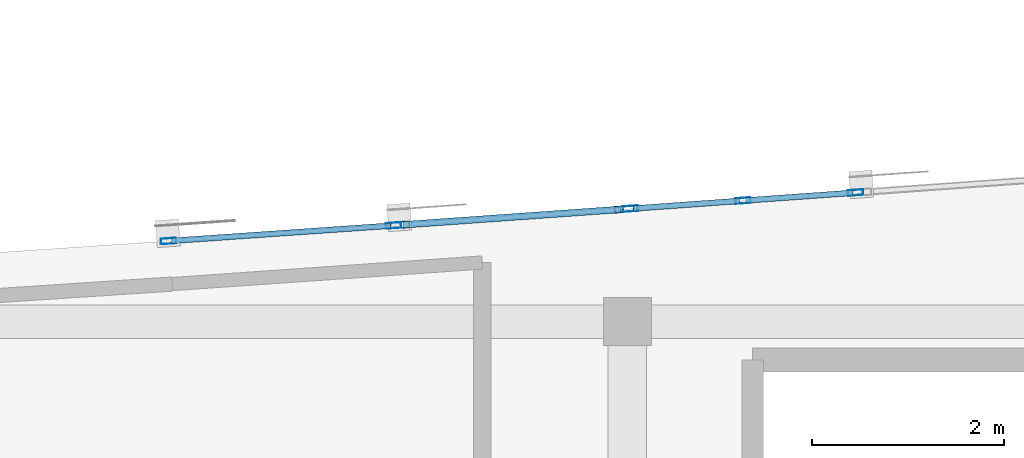
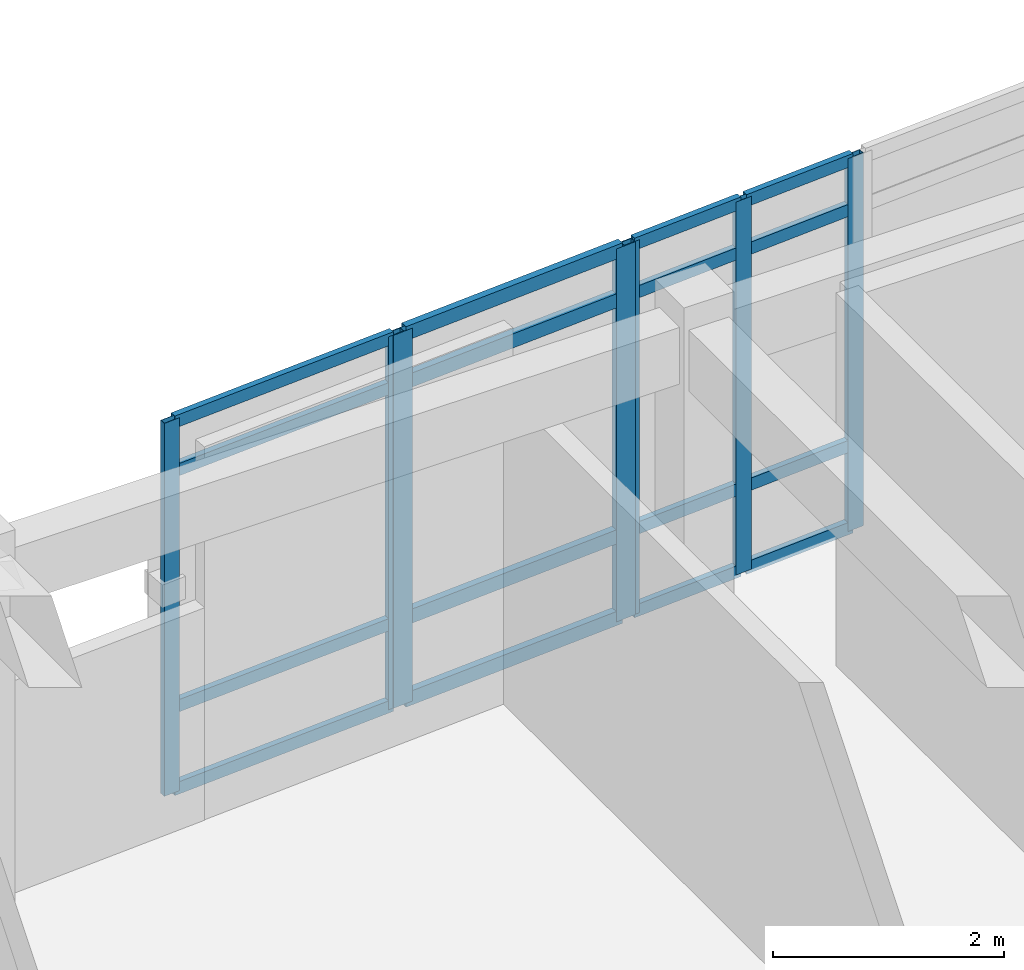
# One storey, part 4 of 24: 23 members, 3 elements without a shape of their own.
"""IFC4 building model written with IfcOpenShell, lengths in metres."""

from ifc_helpers import new_model, si_unit, direction, frame, origin, origin_2d, place, context, subcontext, project, spatial, hollow_rectangle, extrude, material, layer, layer_set, material_profile, profile_set, type_object, element, aggregate, save


model = new_model("IFC4")

# Units and contexts
model_context = context("Model", 3, precision=1e-05, world=origin(), true_north=direction((0.0, 1.0)))
body_context = subcontext(model_context, "Body", "Model", "MODEL_VIEW")
ifc_project = project(units=[si_unit("LENGTHUNIT", "METRE"), si_unit("AREAUNIT", "SQUARE_METRE"), si_unit("VOLUMEUNIT", "CUBIC_METRE"), si_unit("PLANEANGLEUNIT", "RADIAN"), si_unit("MASSUNIT", "GRAM", prefix="KILO")], contexts=[model_context])

# Site, building, storey
site_placement = place(None, origin())
site = spatial("IfcSite", under=ifc_project, at=site_placement, CompositionType="ELEMENT")
building_placement = place(site_placement, origin())
building = spatial("IfcBuilding", under=site, at=building_placement, Name="Carrowvane Square Congress Hotel", CompositionType="ELEMENT")
storey_placement = place(building_placement, frame((0.0, 0.0, 44.39990234375)))
storey = spatial("IfcBuildingStorey", under=building, at=storey_placement, Name="L11", CompositionType="ELEMENT", Elevation=44.39990234375)

# Curtain wall, members
ifc_material_1 = material(Name="Anodised aluminium", Category="aluminium")
ifc_layer_1 = layer(ifc_material_1, 0.18603515625)
ifc_layer_set_1 = layer_set([ifc_layer_1], Name="Anodised aluminium")
curtain_wall_type_1 = type_object("IfcCurtainWallType", Name="CW-SYS-3", PredefinedType="NOTDEFINED", material=ifc_layer_set_1)
curtain_wall_1_placement = place(storey_placement, origin())
curtain_wall_1 = element("IfcCurtainWall", 1, at=curtain_wall_1_placement, inside=storey, type_object=curtain_wall_type_1, Name="L11 unitised curtain wall 586", PredefinedType="NOTDEFINED")
ifc_material_2 = material(Name="Anodised aluminium", Category="aluminium")
ifc_material_profile_1 = material_profile(ifc_material_2, hollow_rectangle(XDim=0.06005859375, YDim=0.159912109375, WallThickness=0.00390625, at=origin_2d()), Name="CW-ML 60x160x4")
ifc_profile_set_1 = profile_set([ifc_material_profile_1], Name="Anodised aluminium")
member_type_1 = type_object("IfcMemberType", Name="CW-MUL-1", PredefinedType="MULLION", material=ifc_profile_set_1)
member_1_placement = place(storey_placement, frame((50.030029296875, 114.237548828125, 0.0), z_axis=(0.0, 0.0, 1.0), x_axis=(-0.068986120725, 0.997617619706, 0.0)))
member_1 = element("IfcMember", 2, at=member_1_placement, type_object=member_type_1, Name="CW-3 mullion 1", PredefinedType="MULLION", context=body_context, shape_type="SweptSolid", body=[
    extrude(hollow_rectangle(XDim=0.06005859375, YDim=0.159912109375, WallThickness=0.00390625, at=origin_2d()), origin(), (0.0, 0.0, 1.0), 3.9501953125),
])
member_2_placement = place(storey_placement, frame((52.3701171875, 114.3994140625, 0.0), z_axis=(0.0, 0.0, 1.0), x_axis=(-0.068986120725, 0.997617619706, 0.0)))
member_2 = element("IfcMember", 3, at=member_2_placement, type_object=member_type_1, Name="CW-3 mullion 2", PredefinedType="MULLION", context=body_context, shape_type="SweptSolid", body=[
    extrude(hollow_rectangle(XDim=0.06005859375, YDim=0.159912109375, WallThickness=0.00390625, at=origin_2d()), origin(), (0.0, 0.0, 1.0), 3.9501953125),
])

ifc_material_3 = material(Name="Anodised aluminium", Category="aluminium")
ifc_layer_2 = layer(ifc_material_3, 0.2099609375)
ifc_layer_set_2 = layer_set([ifc_layer_2], Name="Anodised aluminium")
curtain_wall_type_2 = type_object("IfcCurtainWallType", Name="CW-SYS-5", PredefinedType="NOTDEFINED", material=ifc_layer_set_2)
curtain_wall_2_placement = place(storey_placement, origin())
curtain_wall_2 = element("IfcCurtainWall", 4, at=curtain_wall_2_placement, inside=storey, type_object=curtain_wall_type_2, Name="L11 unitised curtain wall 588", PredefinedType="NOTDEFINED")
member_3_placement = place(storey_placement, frame((54.829833984375, 114.573486328125, 0.0), z_axis=(0.0, 0.0, 1.0), x_axis=(-0.071418356042, 0.997446448898, 0.0)))
member_3 = element("IfcMember", 5, at=member_3_placement, type_object=member_type_1, Name="CW-5 mullion 1", PredefinedType="MULLION", context=body_context, shape_type="SweptSolid", body=[
    extrude(hollow_rectangle(XDim=0.06005859375, YDim=0.159912109375, WallThickness=0.00390625, at=origin_2d()), origin(), (0.0, 0.0, 1.0), 3.9501953125),
])
member_4_placement = place(storey_placement, frame((56.0, 114.6572265625, 0.0), z_axis=(0.0, 0.0, 1.0), x_axis=(-0.071418356042, 0.997446448898, 0.0)))
member_4 = element("IfcMember", 6, at=member_4_placement, type_object=member_type_1, Name="CW-5 mullion 2", PredefinedType="MULLION", context=body_context, shape_type="SweptSolid", body=[
    extrude(hollow_rectangle(XDim=0.06005859375, YDim=0.159912109375, WallThickness=0.00390625, at=origin_2d()), origin(), (0.0, 0.0, 1.0), 3.9501953125),
])
member_5_placement = place(storey_placement, frame((57.169921875, 114.740966796875, 0.0), z_axis=(0.0, 0.0, 1.0), x_axis=(-0.071418356042, 0.997446448898, 0.0)))
member_5 = element("IfcMember", 7, at=member_5_placement, type_object=member_type_1, Name="CW-5 mullion 3", PredefinedType="MULLION", context=body_context, shape_type="SweptSolid", body=[
    extrude(hollow_rectangle(XDim=0.06005859375, YDim=0.159912109375, WallThickness=0.00390625, at=origin_2d()), origin(), (0.0, 0.0, 1.0), 3.9501953125),
])

ifc_material_4 = material(Name="Anodised aluminium", Category="aluminium")
ifc_layer_3 = layer(ifc_material_4, 0.197998046875)
ifc_layer_set_3 = layer_set([ifc_layer_3], Name="Anodised aluminium")
curtain_wall_type_3 = type_object("IfcCurtainWallType", Name="CW-SYS-4", PredefinedType="NOTDEFINED", material=ifc_layer_set_3)
curtain_wall_3_placement = place(storey_placement, origin())
curtain_wall_3 = element("IfcCurtainWall", 8, at=curtain_wall_3_placement, inside=storey, type_object=curtain_wall_type_3, Name="L11 unitised curtain wall 587", PredefinedType="NOTDEFINED")
ifc_material_5 = material(Name="Anodised aluminium", Category="aluminium")
ifc_material_profile_2 = material_profile(ifc_material_5, hollow_rectangle(XDim=0.070068359375, YDim=0.199951171875, WallThickness=0.0048828125, at=origin_2d()), Name="CW-ML 70x200x5")
ifc_profile_set_2 = profile_set([ifc_material_profile_2], Name="Anodised aluminium")
member_type_2 = type_object("IfcMemberType", Name="CW-MUL-2", PredefinedType="MULLION", material=ifc_profile_set_2)
member_6_placement = place(storey_placement, frame((52.434814453125, 114.40380859375, 0.0), z_axis=(0.0, 0.0, 1.0), x_axis=(-0.070585996942, 0.997505697746, 0.0)))
member_6 = element("IfcMember", 9, at=member_6_placement, type_object=member_type_2, Name="CW-4 mullion 1", PredefinedType="MULLION", context=body_context, shape_type="SweptSolid", body=[
    extrude(hollow_rectangle(XDim=0.070068359375, YDim=0.199951171875, WallThickness=0.0048828125, at=origin_2d()), origin(), (0.0, 0.0, 1.0), 3.9501953125),
])
member_7_placement = place(storey_placement, frame((54.76513671875, 114.56884765625, 0.0), z_axis=(0.0, 0.0, 1.0), x_axis=(-0.070585996942, 0.997505697746, 0.0)))
member_7 = element("IfcMember", 10, at=member_7_placement, type_object=member_type_2, Name="CW-4 mullion 2", PredefinedType="MULLION", context=body_context, shape_type="SweptSolid", body=[
    extrude(hollow_rectangle(XDim=0.070068359375, YDim=0.199951171875, WallThickness=0.0048828125, at=origin_2d()), origin(), (0.0, 0.0, 1.0), 3.9501953125),
])

# Member
ifc_material_6 = material(Name="Anodised aluminium", Category="aluminium")
ifc_material_profile_3 = material_profile(ifc_material_6, hollow_rectangle(XDim=0.06005859375, YDim=0.1298828125, WallThickness=0.00390625, at=origin_2d()), Name="CW-TR 60x130x4")
ifc_profile_set_3 = profile_set([ifc_material_profile_3], Name="Anodised aluminium")
member_type_3 = type_object("IfcMemberType", Name="CW-TRN-1", PredefinedType="USERDEFINED", material=ifc_profile_set_3)
member_8_placement = place(storey_placement, frame((50.059814453125, 114.239501953125, 0.030029296875), z_axis=(0.997616657175, 0.069000038601, 0.0), x_axis=(-0.069000038601, 0.997616657175, 0.0)))
member_8 = element("IfcMember", 11, at=member_8_placement, type_object=member_type_3, Name="CW-3 transom 1.1", ObjectType="TRANSOM", PredefinedType="USERDEFINED", context=body_context, shape_type="SweptSolid", body=[
    extrude(hollow_rectangle(XDim=0.06005859375, YDim=0.1298828125, WallThickness=0.00390625, at=origin_2d()), origin(), (0.0, 0.0, 1.0), 2.28564453125),
])

member_9_placement = place(storey_placement, frame((50.059814453125, 114.239501953125, 0.900146484375), z_axis=(0.997616657175, 0.069000038601, 0.0), x_axis=(-0.069000038601, 0.997616657175, 0.0)))
member_9 = element("IfcMember", 12, at=member_9_placement, type_object=member_type_3, Name="CW-3 transom 1.2", ObjectType="TRANSOM", PredefinedType="USERDEFINED", context=body_context, shape_type="SweptSolid", body=[
    extrude(hollow_rectangle(XDim=0.06005859375, YDim=0.1298828125, WallThickness=0.00390625, at=origin_2d()), origin(), (0.0, 0.0, 1.0), 2.28564453125),
])

member_10_placement = place(storey_placement, frame((50.059814453125, 114.239501953125, 3.400146484375), z_axis=(0.997616657175, 0.069000038601, 0.0), x_axis=(-0.069000038601, 0.997616657175, 0.0)))
member_10 = element("IfcMember", 13, at=member_10_placement, type_object=member_type_3, Name="CW-3 transom 1.3", ObjectType="TRANSOM", PredefinedType="USERDEFINED", context=body_context, shape_type="SweptSolid", body=[
    extrude(hollow_rectangle(XDim=0.06005859375, YDim=0.1298828125, WallThickness=0.00390625, at=origin_2d()), origin(), (0.0, 0.0, 1.0), 2.28564453125),
])

member_11_placement = place(storey_placement, frame((50.059814453125, 114.239501953125, 3.920166015625), z_axis=(0.997616657175, 0.069000038601, 0.0), x_axis=(-0.069000038601, 0.997616657175, 0.0)))
member_11 = element("IfcMember", 14, at=member_11_placement, type_object=member_type_3, Name="CW-3 transom 1.4", ObjectType="TRANSOM", PredefinedType="USERDEFINED", context=body_context, shape_type="SweptSolid", body=[
    extrude(hollow_rectangle(XDim=0.06005859375, YDim=0.1298828125, WallThickness=0.00390625, at=origin_2d()), origin(), (0.0, 0.0, 1.0), 2.28564453125),
])

aggregate(curtain_wall_1, [member_1, member_2, member_8, member_9, member_10, member_11])

member_12_placement = place(storey_placement, frame((54.85986328125, 114.575439453125, 0.030029296875), z_axis=(0.997439734895, 0.071512063685, 0.0), x_axis=(-0.071512063685, 0.997439734895, 0.0)))
member_12 = element("IfcMember", 15, at=member_12_placement, type_object=member_type_3, Name="CW-5 transom 1.1", ObjectType="TRANSOM", PredefinedType="USERDEFINED", context=body_context, shape_type="SweptSolid", body=[
    extrude(hollow_rectangle(XDim=0.06005859375, YDim=0.1298828125, WallThickness=0.00390625, at=origin_2d()), origin(), (0.0, 0.0, 1.0), 1.113037109375),
])

member_13_placement = place(storey_placement, frame((54.85986328125, 114.575439453125, 0.900146484375), z_axis=(0.997439734895, 0.071512063685, 0.0), x_axis=(-0.071512063685, 0.997439734895, 0.0)))
member_13 = element("IfcMember", 16, at=member_13_placement, type_object=member_type_3, Name="CW-5 transom 1.2", ObjectType="TRANSOM", PredefinedType="USERDEFINED", context=body_context, shape_type="SweptSolid", body=[
    extrude(hollow_rectangle(XDim=0.06005859375, YDim=0.1298828125, WallThickness=0.00390625, at=origin_2d()), origin(), (0.0, 0.0, 1.0), 1.113037109375),
])

member_14_placement = place(storey_placement, frame((54.85986328125, 114.575439453125, 3.400146484375), z_axis=(0.997439734895, 0.071512063685, 0.0), x_axis=(-0.071512063685, 0.997439734895, 0.0)))
member_14 = element("IfcMember", 17, at=member_14_placement, type_object=member_type_3, Name="CW-5 transom 1.3", ObjectType="TRANSOM", PredefinedType="USERDEFINED", context=body_context, shape_type="SweptSolid", body=[
    extrude(hollow_rectangle(XDim=0.06005859375, YDim=0.1298828125, WallThickness=0.00390625, at=origin_2d()), origin(), (0.0, 0.0, 1.0), 1.113037109375),
])

member_15_placement = place(storey_placement, frame((54.85986328125, 114.575439453125, 3.920166015625), z_axis=(0.997439734895, 0.071512063685, 0.0), x_axis=(-0.071512063685, 0.997439734895, 0.0)))
member_15 = element("IfcMember", 18, at=member_15_placement, type_object=member_type_3, Name="CW-5 transom 1.4", ObjectType="TRANSOM", PredefinedType="USERDEFINED", context=body_context, shape_type="SweptSolid", body=[
    extrude(hollow_rectangle(XDim=0.06005859375, YDim=0.1298828125, WallThickness=0.00390625, at=origin_2d()), origin(), (0.0, 0.0, 1.0), 1.113037109375),
])

member_16_placement = place(storey_placement, frame((56.02978515625, 114.659423828125, 0.030029296875), z_axis=(0.997456472769, 0.071278221999, 0.0), x_axis=(-0.071278221999, 0.997456472769, 0.0)))
member_16 = element("IfcMember", 19, at=member_16_placement, type_object=member_type_3, Name="CW-5 transom 2.1", ObjectType="TRANSOM", PredefinedType="USERDEFINED", context=body_context, shape_type="SweptSolid", body=[
    extrude(hollow_rectangle(XDim=0.06005859375, YDim=0.1298828125, WallThickness=0.00390625, at=origin_2d()), origin(), (0.0, 0.0, 1.0), 1.11328125),
])

member_17_placement = place(storey_placement, frame((56.02978515625, 114.659423828125, 0.900146484375), z_axis=(0.997456472769, 0.071278221999, 0.0), x_axis=(-0.071278221999, 0.997456472769, 0.0)))
member_17 = element("IfcMember", 20, at=member_17_placement, type_object=member_type_3, Name="CW-5 transom 2.2", ObjectType="TRANSOM", PredefinedType="USERDEFINED", context=body_context, shape_type="SweptSolid", body=[
    extrude(hollow_rectangle(XDim=0.06005859375, YDim=0.1298828125, WallThickness=0.00390625, at=origin_2d()), origin(), (0.0, 0.0, 1.0), 1.11328125),
])

member_18_placement = place(storey_placement, frame((56.02978515625, 114.659423828125, 3.400146484375), z_axis=(0.997456472769, 0.071278221999, 0.0), x_axis=(-0.071278221999, 0.997456472769, 0.0)))
member_18 = element("IfcMember", 21, at=member_18_placement, type_object=member_type_3, Name="CW-5 transom 2.3", ObjectType="TRANSOM", PredefinedType="USERDEFINED", context=body_context, shape_type="SweptSolid", body=[
    extrude(hollow_rectangle(XDim=0.06005859375, YDim=0.1298828125, WallThickness=0.00390625, at=origin_2d()), origin(), (0.0, 0.0, 1.0), 1.11328125),
])

member_19_placement = place(storey_placement, frame((56.02978515625, 114.659423828125, 3.920166015625), z_axis=(0.997456472769, 0.071278221999, 0.0), x_axis=(-0.071278221999, 0.997456472769, 0.0)))
member_19 = element("IfcMember", 22, at=member_19_placement, type_object=member_type_3, Name="CW-5 transom 2.4", ObjectType="TRANSOM", PredefinedType="USERDEFINED", context=body_context, shape_type="SweptSolid", body=[
    extrude(hollow_rectangle(XDim=0.06005859375, YDim=0.1298828125, WallThickness=0.00390625, at=origin_2d()), origin(), (0.0, 0.0, 1.0), 1.11328125),
])

aggregate(curtain_wall_2, [member_3, member_4, member_5, member_12, member_13, member_14, member_15, member_16, member_17, member_18, member_19])

ifc_material_7 = material(Name="Anodised aluminium", Category="aluminium")
ifc_material_profile_4 = material_profile(ifc_material_7, hollow_rectangle(XDim=0.070068359375, YDim=0.14990234375, WallThickness=0.0048828125, at=origin_2d()), Name="CW-TR 70x150x5")
ifc_profile_set_4 = profile_set([ifc_material_profile_4], Name="Anodised aluminium")
member_type_4 = type_object("IfcMemberType", Name="CW-TRN-2", PredefinedType="USERDEFINED", material=ifc_profile_set_4)
member_20_placement = place(storey_placement, frame((52.4697265625, 114.406494140625, 0.03515625), z_axis=(0.997507138694, 0.070565630829, 0.0), x_axis=(-0.070565630829, 0.997507138694, 0.0)))
member_20 = element("IfcMember", 23, at=member_20_placement, type_object=member_type_4, Name="CW-4 transom 1.1", ObjectType="TRANSOM", PredefinedType="USERDEFINED", context=body_context, shape_type="SweptSolid", body=[
    extrude(hollow_rectangle(XDim=0.070068359375, YDim=0.14990234375, WallThickness=0.0048828125, at=origin_2d()), origin(), (0.0, 0.0, 1.0), 2.26611328125),
])

member_21_placement = place(storey_placement, frame((52.4697265625, 114.406494140625, 0.900146484375), z_axis=(0.997507138694, 0.070565630829, 0.0), x_axis=(-0.070565630829, 0.997507138694, 0.0)))
member_21 = element("IfcMember", 24, at=member_21_placement, type_object=member_type_4, Name="CW-4 transom 1.2", ObjectType="TRANSOM", PredefinedType="USERDEFINED", context=body_context, shape_type="SweptSolid", body=[
    extrude(hollow_rectangle(XDim=0.070068359375, YDim=0.14990234375, WallThickness=0.0048828125, at=origin_2d()), origin(), (0.0, 0.0, 1.0), 2.26611328125),
])

member_22_placement = place(storey_placement, frame((52.4697265625, 114.406494140625, 3.400146484375), z_axis=(0.997507138694, 0.070565630829, 0.0), x_axis=(-0.070565630829, 0.997507138694, 0.0)))
member_22 = element("IfcMember", 25, at=member_22_placement, type_object=member_type_4, Name="CW-4 transom 1.3", ObjectType="TRANSOM", PredefinedType="USERDEFINED", context=body_context, shape_type="SweptSolid", body=[
    extrude(hollow_rectangle(XDim=0.070068359375, YDim=0.14990234375, WallThickness=0.0048828125, at=origin_2d()), origin(), (0.0, 0.0, 1.0), 2.26611328125),
])

member_23_placement = place(storey_placement, frame((52.4697265625, 114.406494140625, 3.9150390625), z_axis=(0.997507138694, 0.070565630829, 0.0), x_axis=(-0.070565630829, 0.997507138694, 0.0)))
member_23 = element("IfcMember", 26, at=member_23_placement, type_object=member_type_4, Name="CW-4 transom 1.4", ObjectType="TRANSOM", PredefinedType="USERDEFINED", context=body_context, shape_type="SweptSolid", body=[
    extrude(hollow_rectangle(XDim=0.070068359375, YDim=0.14990234375, WallThickness=0.0048828125, at=origin_2d()), origin(), (0.0, 0.0, 1.0), 2.26611328125),
])

aggregate(curtain_wall_3, [member_6, member_7, member_20, member_21, member_22, member_23])

save(model, "model.ifc")
